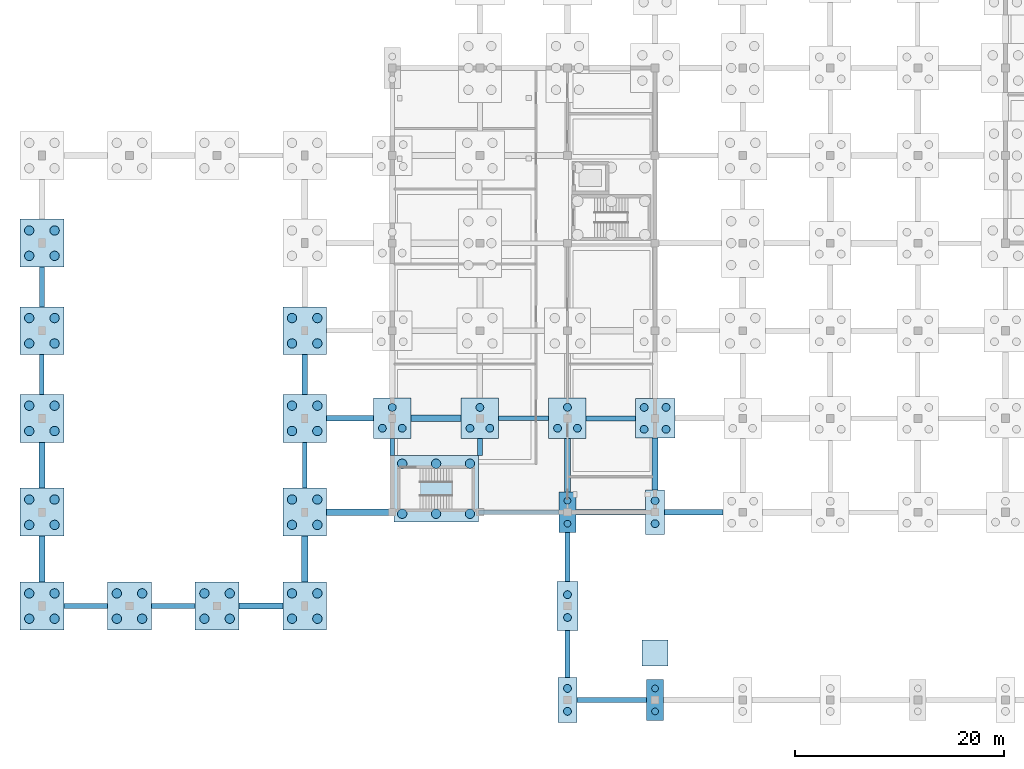
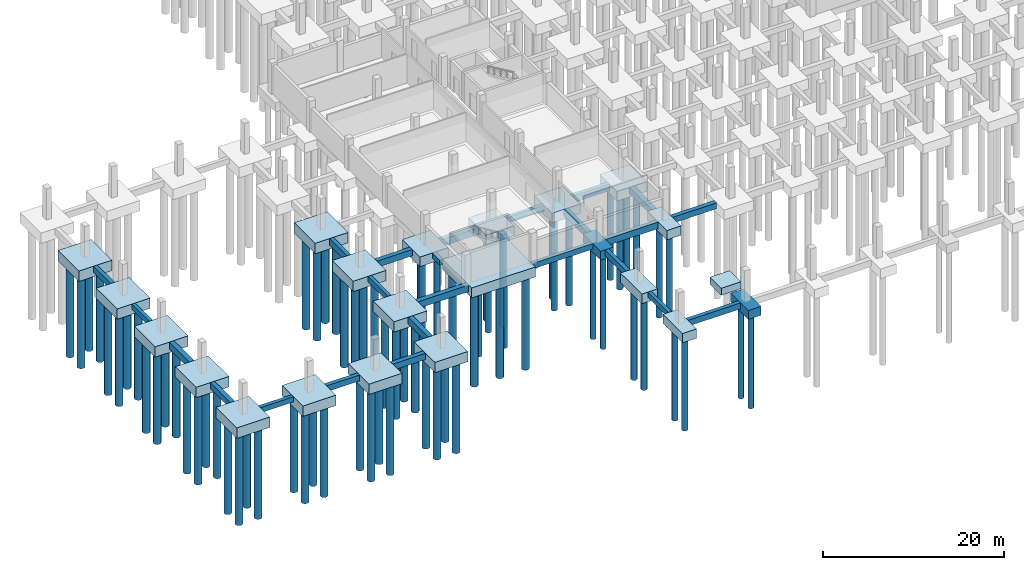
# One storey, part 1 of 20: 73 piles, 47 footings.
"""IFC4 building model written with IfcOpenShell, lengths in metres."""

from ifc_helpers import new_model, si_unit, direction, frame, origin, origin_2d, place, context, subcontext, project, spatial, rectangle, circle, extrude, material, material_profile, profile_set, type_object, element, save


model = new_model("IFC4")

# Units and contexts
model_context = context("Model", 3, precision=1e-05, world=origin(), true_north=direction((0.0, 1.0)))
body_context = subcontext(model_context, "Body", "Model", "MODEL_VIEW")
ifc_project = project(units=[si_unit("LENGTHUNIT", "METRE"), si_unit("AREAUNIT", "SQUARE_METRE"), si_unit("VOLUMEUNIT", "CUBIC_METRE"), si_unit("PLANEANGLEUNIT", "RADIAN"), si_unit("MASSUNIT", "GRAM", prefix="KILO")], contexts=[model_context])

# Site, building, storey
site_placement = place(None, origin())
site = spatial("IfcSite", under=ifc_project, at=site_placement, CompositionType="ELEMENT")
building_placement = place(site_placement, origin())
building = spatial("IfcBuilding", under=site, at=building_placement, Name="Vireocrest Preparatory School", CompositionType="ELEMENT")
storey_placement = place(building_placement, frame((0.0, 0.0, -4.199951171875)))
storey = spatial("IfcBuildingStorey", under=building, at=storey_placement, Name="B01", CompositionType="ELEMENT", Elevation=-4.199951171875)

# Piles
ifc_material = material(Name="Concrete 40 MPa", Category="concrete")
ifc_material_profile_1 = material_profile(ifc_material, circle(Radius=0.324951171875, at=origin_2d()), Name="BORED PILE 650")
ifc_profile_set_1 = profile_set([ifc_material_profile_1], Name="Concrete 40 MPa")
pile_type_1 = type_object("IfcPileType", Name="Bored Concrete Pile 650", PredefinedType="BORED", material=ifc_profile_set_1)
for number, where, z_axis, x_axis, name in (
    (1, (50.39990234375, 16.89990234375, -1.10009765625), (0.0, 0.0, -1.0), (1.0, 0.0, 0.0), "Bored Pile P01 036-1"),
    (2, (50.39990234375, 19.10009765625, -1.10009765625), (0.0, 0.0, -1.0), (1.0, 0.0, 0.0), "Bored Pile P01 036-2"),
    (3, (58.800048828125, -1.10009765625, -1.10009765625), (0.0, 0.0, -1.0), (1.0, 0.0, 0.0), "Bored Pile P01 048-1"),
    (4, (58.800048828125, 1.10009765625, -1.10009765625), (0.0, 0.0, -1.0), (1.0, 0.0, 0.0), "Bored Pile P01 048-2"),
):
    element("IfcPile", number, at=place(storey_placement, frame(where, z_axis=z_axis, x_axis=x_axis)), inside=storey, type_object=pile_type_1, Name=name, PredefinedType="BORED", context=body_context, shape_type="SweptSolid", body=[
        extrude(circle(Radius=0.324951171875, at=origin_2d()), origin(), (0.0, 0.0, 1.0), 12.699951171875),
    ])
ifc_material_profile_2 = material_profile(ifc_material, circle(Radius=0.375, at=origin_2d()), Name="BORED PILE 750")
ifc_profile_set_2 = profile_set([ifc_material_profile_2], Name="Concrete 40 MPa")
pile_type_2 = type_object("IfcPileType", Name="Bored Concrete Pile 750", PredefinedType="BORED", material=ifc_profile_set_2)
for number, where, z_axis, x_axis, name in (
    (5, (32.64990234375, 26.050048828125, -1.199951171875), (0.0, 0.0, -1.0), (1.0, 0.0, 0.0), "Bored Pile P02 017-1"),
    (6, (34.550048828125, 26.050048828125, -1.199951171875), (0.0, 0.0, -1.0), (1.0, 0.0, 0.0), "Bored Pile P02 017-2"),
    (7, (33.60009765625, 28.050048828125, -1.199951171875), (0.0, 0.0, -1.0), (1.0, 0.0, 0.0), "Bored Pile P02 017-3"),
    (8, (41.050048828125, 26.050048828125, -1.199951171875), (0.0, 0.0, -1.0), (1.0, 0.0, 0.0), "Bored Pile P02 023-1"),
    (9, (42.949951171875, 26.050048828125, -1.199951171875), (0.0, 0.0, -1.0), (1.0, 0.0, 0.0), "Bored Pile P02 023-2"),
    (10, (42.0, 28.050048828125, -1.199951171875), (0.0, 0.0, -1.0), (1.0, 0.0, 0.0), "Bored Pile P02 023-3"),
):
    element("IfcPile", number, at=place(storey_placement, frame(where, z_axis=z_axis, x_axis=x_axis)), inside=storey, type_object=pile_type_2, Name=name, PredefinedType="BORED", context=body_context, shape_type="SweptSolid", body=[
        extrude(circle(Radius=0.375, at=origin_2d()), origin(), (0.0, 0.0, 1.0), 12.60009765625),
    ])
for number, where, z_axis, x_axis, name in (
    (11, (50.39990234375, -1.10009765625, -1.150146484375), (0.0, 0.0, -1.0), (1.0, 0.0, 0.0), "Bored Pile P02 034-1"),
    (12, (50.39990234375, 1.10009765625, -1.150146484375), (0.0, 0.0, -1.0), (1.0, 0.0, 0.0), "Bored Pile P02 034-2"),
):
    element("IfcPile", number, at=place(storey_placement, frame(where, z_axis=z_axis, x_axis=x_axis)), inside=storey, type_object=pile_type_2, Name=name, PredefinedType="BORED", context=body_context, shape_type="SweptSolid", body=[
        extrude(circle(Radius=0.375, at=origin_2d()), origin(), (0.0, 0.0, 1.0), 12.64990234375),
    ])
for number, where, z_axis, x_axis, name in (
    (13, (50.39990234375, 7.89990234375, -1.199951171875), (0.0, 0.0, -1.0), (1.0, 0.0, 0.0), "Bored Pile P02 035-1"),
    (14, (50.39990234375, 10.10009765625, -1.199951171875), (0.0, 0.0, -1.0), (1.0, 0.0, 0.0), "Bored Pile P02 035-2"),
    (15, (49.449951171875, 26.050048828125, -1.199951171875), (0.0, 0.0, -1.0), (1.0, 0.0, 0.0), "Bored Pile P02 037-1"),
    (16, (51.35009765625, 26.050048828125, -1.199951171875), (0.0, 0.0, -1.0), (1.0, 0.0, 0.0), "Bored Pile P02 037-2"),
    (17, (50.39990234375, 28.050048828125, -1.199951171875), (0.0, 0.0, -1.0), (1.0, 0.0, 0.0), "Bored Pile P02 037-3"),
):
    element("IfcPile", number, at=place(storey_placement, frame(where, z_axis=z_axis, x_axis=x_axis)), inside=storey, type_object=pile_type_2, Name=name, PredefinedType="BORED", context=body_context, shape_type="SweptSolid", body=[
        extrude(circle(Radius=0.375, at=origin_2d()), origin(), (0.0, 0.0, 1.0), 12.60009765625),
    ])
for number, where, z_axis, x_axis, name in (
    (18, (58.800048828125, 16.89990234375, -1.150146484375), (0.0, 0.0, -1.0), (1.0, 0.0, 0.0), "Bored Pile P02 049-1"),
    (19, (58.800048828125, 19.10009765625, -1.150146484375), (0.0, 0.0, -1.0), (1.0, 0.0, 0.0), "Bored Pile P02 049-2"),
):
    element("IfcPile", number, at=place(storey_placement, frame(where, z_axis=z_axis, x_axis=x_axis)), inside=storey, type_object=pile_type_2, Name=name, PredefinedType="BORED", context=body_context, shape_type="SweptSolid", body=[
        extrude(circle(Radius=0.375, at=origin_2d()), origin(), (0.0, 0.0, 1.0), 12.64990234375),
    ])
for number, where, z_axis, x_axis, name in (
    (20, (57.75, 25.949951171875, -1.199951171875), (0.0, 0.0, -1.0), (1.0, 0.0, 0.0), "Bored Pile P02 050-1"),
    (21, (59.85009765625, 25.949951171875, -1.199951171875), (0.0, 0.0, -1.0), (1.0, 0.0, 0.0), "Bored Pile P02 050-2"),
    (22, (57.75, 28.050048828125, -1.199951171875), (0.0, 0.0, -1.0), (1.0, 0.0, 0.0), "Bored Pile P02 050-3"),
    (23, (59.85009765625, 28.050048828125, -1.199951171875), (0.0, 0.0, -1.0), (1.0, 0.0, 0.0), "Bored Pile P02 050-4"),
):
    element("IfcPile", number, at=place(storey_placement, frame(where, z_axis=z_axis, x_axis=x_axis)), inside=storey, type_object=pile_type_2, Name=name, PredefinedType="BORED", context=body_context, shape_type="SweptSolid", body=[
        extrude(circle(Radius=0.375, at=origin_2d()), origin(), (0.0, 0.0, 1.0), 12.60009765625),
    ])
ifc_material_profile_3 = material_profile(ifc_material, circle(Radius=0.449951171875, at=origin_2d()), Name="BORED PILE 900")
ifc_profile_set_3 = profile_set([ifc_material_profile_3], Name="Concrete 40 MPa")
pile_type_3 = type_object("IfcPileType", Name="Bored Concrete Pile 900", PredefinedType="BORED", material=ifc_profile_set_3)
for number, where, z_axis, x_axis, name in (
    (24, (34.550048828125, 17.85009765625, -1.25), (0.0, 0.0, -1.0), (1.0, 0.0, 0.0), "Bored Pile P03 Core K5-1"),
    (25, (34.550048828125, 22.64990234375, -1.25), (0.0, 0.0, -1.0), (1.0, 0.0, 0.0), "Bored Pile P03 Core K5-2"),
    (26, (37.800048828125, 17.85009765625, -1.25), (0.0, 0.0, -1.0), (1.0, 0.0, 0.0), "Bored Pile P03 Core K5-3"),
    (27, (37.800048828125, 22.64990234375, -1.25), (0.0, 0.0, -1.0), (1.0, 0.0, 0.0), "Bored Pile P03 Core K5-4"),
    (28, (41.050048828125, 17.85009765625, -1.25), (0.0, 0.0, -1.0), (1.0, 0.0, 0.0), "Bored Pile P03 Core K5-5"),
    (29, (41.050048828125, 22.64990234375, -1.25), (0.0, 0.0, -1.0), (1.0, 0.0, 0.0), "Bored Pile P03 Core K5-6"),
):
    element("IfcPile", number, at=place(storey_placement, frame(where, z_axis=z_axis, x_axis=x_axis)), inside=storey, type_object=pile_type_3, Name=name, PredefinedType="BORED", context=body_context, shape_type="SweptSolid", body=[
        extrude(circle(Radius=0.449951171875, at=origin_2d()), origin(), (0.0, 0.0, 1.0), 12.550048828125),
    ])
for number, where, z_axis, x_axis, name in (
    (30, (-1.215087890625, 7.784912109375, -1.300048828125), (0.0, 0.0, -1.0), (1.0, 0.0, 0.0), "Bored Pile P03 000-1"),
    (31, (1.215087890625, 7.784912109375, -1.300048828125), (0.0, 0.0, -1.0), (1.0, 0.0, 0.0), "Bored Pile P03 000-2"),
    (32, (-1.215087890625, 10.215087890625, -1.300048828125), (0.0, 0.0, -1.0), (1.0, 0.0, 0.0), "Bored Pile P03 000-3"),
    (33, (1.215087890625, 10.215087890625, -1.300048828125), (0.0, 0.0, -1.0), (1.0, 0.0, 0.0), "Bored Pile P03 000-4"),
    (34, (-1.215087890625, 16.784912109375, -1.300048828125), (0.0, 0.0, -1.0), (1.0, 0.0, 0.0), "Bored Pile P03 001-1"),
    (35, (1.215087890625, 16.784912109375, -1.300048828125), (0.0, 0.0, -1.0), (1.0, 0.0, 0.0), "Bored Pile P03 001-2"),
    (36, (-1.215087890625, 19.215087890625, -1.300048828125), (0.0, 0.0, -1.0), (1.0, 0.0, 0.0), "Bored Pile P03 001-3"),
    (37, (1.215087890625, 19.215087890625, -1.300048828125), (0.0, 0.0, -1.0), (1.0, 0.0, 0.0), "Bored Pile P03 001-4"),
    (38, (-1.215087890625, 25.784912109375, -1.300048828125), (0.0, 0.0, -1.0), (1.0, 0.0, 0.0), "Bored Pile P03 002-1"),
    (39, (1.215087890625, 25.784912109375, -1.300048828125), (0.0, 0.0, -1.0), (1.0, 0.0, 0.0), "Bored Pile P03 002-2"),
    (40, (-1.215087890625, 28.215087890625, -1.300048828125), (0.0, 0.0, -1.0), (1.0, 0.0, 0.0), "Bored Pile P03 002-3"),
    (41, (1.215087890625, 28.215087890625, -1.300048828125), (0.0, 0.0, -1.0), (1.0, 0.0, 0.0), "Bored Pile P03 002-4"),
    (42, (-1.215087890625, 34.18505859375, -1.300048828125), (0.0, 0.0, -1.0), (1.0, 0.0, 0.0), "Bored Pile P03 003-1"),
    (43, (1.215087890625, 34.18505859375, -1.300048828125), (0.0, 0.0, -1.0), (1.0, 0.0, 0.0), "Bored Pile P03 003-2"),
    (44, (-1.215087890625, 36.614990234375, -1.300048828125), (0.0, 0.0, -1.0), (1.0, 0.0, 0.0), "Bored Pile P03 003-3"),
    (45, (1.215087890625, 36.614990234375, -1.300048828125), (0.0, 0.0, -1.0), (1.0, 0.0, 0.0), "Bored Pile P03 003-4"),
    (46, (-1.215087890625, 42.5849609375, -1.300048828125), (0.0, 0.0, -1.0), (1.0, 0.0, 0.0), "Bored Pile P03 004-1"),
    (47, (1.215087890625, 42.5849609375, -1.300048828125), (0.0, 0.0, -1.0), (1.0, 0.0, 0.0), "Bored Pile P03 004-2"),
    (48, (-1.215087890625, 45.014892578125, -1.300048828125), (0.0, 0.0, -1.0), (1.0, 0.0, 0.0), "Bored Pile P03 004-3"),
    (49, (1.215087890625, 45.014892578125, -1.300048828125), (0.0, 0.0, -1.0), (1.0, 0.0, 0.0), "Bored Pile P03 004-4"),
    (50, (7.18505859375, 7.784912109375, -1.300048828125), (0.0, 0.0, -1.0), (1.0, 0.0, 0.0), "Bored Pile P03 006-1"),
    (51, (9.614990234375, 7.784912109375, -1.300048828125), (0.0, 0.0, -1.0), (1.0, 0.0, 0.0), "Bored Pile P03 006-2"),
    (52, (7.18505859375, 10.215087890625, -1.300048828125), (0.0, 0.0, -1.0), (1.0, 0.0, 0.0), "Bored Pile P03 006-3"),
    (53, (9.614990234375, 10.215087890625, -1.300048828125), (0.0, 0.0, -1.0), (1.0, 0.0, 0.0), "Bored Pile P03 006-4"),
    (54, (15.5849609375, 7.784912109375, -1.300048828125), (0.0, 0.0, -1.0), (1.0, 0.0, 0.0), "Bored Pile P03 008-1"),
    (55, (18.014892578125, 7.784912109375, -1.300048828125), (0.0, 0.0, -1.0), (1.0, 0.0, 0.0), "Bored Pile P03 008-2"),
    (56, (15.5849609375, 10.215087890625, -1.300048828125), (0.0, 0.0, -1.0), (1.0, 0.0, 0.0), "Bored Pile P03 008-3"),
    (57, (18.014892578125, 10.215087890625, -1.300048828125), (0.0, 0.0, -1.0), (1.0, 0.0, 0.0), "Bored Pile P03 008-4"),
    (58, (23.985107421875, 7.784912109375, -1.300048828125), (0.0, 0.0, -1.0), (1.0, 0.0, 0.0), "Bored Pile P03 010-1"),
    (59, (26.4150390625, 7.784912109375, -1.300048828125), (0.0, 0.0, -1.0), (1.0, 0.0, 0.0), "Bored Pile P03 010-2"),
    (60, (23.985107421875, 10.215087890625, -1.300048828125), (0.0, 0.0, -1.0), (1.0, 0.0, 0.0), "Bored Pile P03 010-3"),
    (61, (26.4150390625, 10.215087890625, -1.300048828125), (0.0, 0.0, -1.0), (1.0, 0.0, 0.0), "Bored Pile P03 010-4"),
    (62, (23.985107421875, 16.784912109375, -1.300048828125), (0.0, 0.0, -1.0), (1.0, 0.0, 0.0), "Bored Pile P03 011-1"),
    (63, (26.4150390625, 16.784912109375, -1.300048828125), (0.0, 0.0, -1.0), (1.0, 0.0, 0.0), "Bored Pile P03 011-2"),
    (64, (23.985107421875, 19.215087890625, -1.300048828125), (0.0, 0.0, -1.0), (1.0, 0.0, 0.0), "Bored Pile P03 011-3"),
    (65, (26.4150390625, 19.215087890625, -1.300048828125), (0.0, 0.0, -1.0), (1.0, 0.0, 0.0), "Bored Pile P03 011-4"),
    (66, (23.985107421875, 25.784912109375, -1.300048828125), (0.0, 0.0, -1.0), (1.0, 0.0, 0.0), "Bored Pile P03 012-1"),
    (67, (26.4150390625, 25.784912109375, -1.300048828125), (0.0, 0.0, -1.0), (1.0, 0.0, 0.0), "Bored Pile P03 012-2"),
    (68, (23.985107421875, 28.215087890625, -1.300048828125), (0.0, 0.0, -1.0), (1.0, 0.0, 0.0), "Bored Pile P03 012-3"),
    (69, (26.4150390625, 28.215087890625, -1.300048828125), (0.0, 0.0, -1.0), (1.0, 0.0, 0.0), "Bored Pile P03 012-4"),
    (70, (23.985107421875, 34.18505859375, -1.300048828125), (0.0, 0.0, -1.0), (1.0, 0.0, 0.0), "Bored Pile P03 013-1"),
    (71, (26.4150390625, 34.18505859375, -1.300048828125), (0.0, 0.0, -1.0), (1.0, 0.0, 0.0), "Bored Pile P03 013-2"),
    (72, (23.985107421875, 36.614990234375, -1.300048828125), (0.0, 0.0, -1.0), (1.0, 0.0, 0.0), "Bored Pile P03 013-3"),
    (73, (26.4150390625, 36.614990234375, -1.300048828125), (0.0, 0.0, -1.0), (1.0, 0.0, 0.0), "Bored Pile P03 013-4"),
):
    element("IfcPile", number, at=place(storey_placement, frame(where, z_axis=z_axis, x_axis=x_axis)), inside=storey, type_object=pile_type_3, Name=name, PredefinedType="BORED", context=body_context, shape_type="SweptSolid", body=[
        extrude(circle(Radius=0.449951171875, at=origin_2d()), origin(), (0.0, 0.0, 1.0), 12.5),
    ])

# Footings
footing_type_1 = type_object("IfcFootingType", Name="Combined Stair Cap 5600x6400x1350", PredefinedType="PILE_CAP", material=ifc_material)
footing_1_placement = place(storey_placement, frame((37.800048828125, 20.25, -1.35009765625), z_axis=(0.0, 0.0, 1.0), x_axis=(1.0, 0.0, 0.0)))
element("IfcFooting", 74, at=footing_1_placement, inside=storey, type_object=footing_type_1, Name="Combined Core Pile Cap K5", PredefinedType="PILE_CAP", context=body_context, shape_type="SweptSolid", body=[
    extrude(rectangle(XDim=8.10009765625, YDim=6.39990234375, at=origin_2d()), origin(), (0.0, 0.0, 1.0), 1.35009765625),
])
footing_type_2 = type_object("IfcFootingType", Name="Four-Pile Cap 3800x3800x1300", PredefinedType="PILE_CAP", material=ifc_material)
footing_2_placement = place(storey_placement, frame((58.800048828125, 27.0, -1.30029296875), z_axis=(0.0, 0.0, 1.0), x_axis=(1.0, 0.0, 0.0)))
element("IfcFooting", 75, at=footing_2_placement, inside=storey, type_object=footing_type_2, Name="Pile Cap PC05 at (58.8, 27.0)", PredefinedType="PILE_CAP", context=body_context, shape_type="SweptSolid", body=[
    extrude(rectangle(XDim=3.800048828125, YDim=3.800048828125, at=origin_2d()), origin(), (0.0, 0.0, 1.0), 1.300048828125),
])
footing_type_3 = type_object("IfcFootingType", Name="Four-Pile Vault Pier Cap 4200x4600x1400", PredefinedType="PILE_CAP", material=ifc_material)
for number, where, z_axis, x_axis, name in (
    (76, (0.0, 9.0, -1.39990234375), (0.0, 0.0, 1.0), (1.0, 0.0, 0.0), "Pile Cap PC10 at (0.0, 9.0)"),
    (77, (0.0, 18.0, -1.39990234375), (0.0, 0.0, 1.0), (1.0, 0.0, 0.0), "Pile Cap PC10 at (0.0, 18.0)"),
    (78, (0.0, 27.0, -1.39990234375), (0.0, 0.0, 1.0), (1.0, 0.0, 0.0), "Pile Cap PC10 at (0.0, 27.0)"),
    (79, (0.0, 35.39990234375, -1.39990234375), (0.0, 0.0, 1.0), (1.0, 0.0, 0.0), "Pile Cap PC10 at (0.0, 35.4)"),
    (80, (0.0, 43.800048828125, -1.39990234375), (0.0, 0.0, 1.0), (1.0, 0.0, 0.0), "Pile Cap PC10 at (0.0, 43.8)"),
    (81, (8.39990234375, 9.0, -1.39990234375), (0.0, 0.0, 1.0), (1.0, 0.0, 0.0), "Pile Cap PC10 at (8.4, 9.0)"),
    (82, (16.800048828125, 9.0, -1.39990234375), (0.0, 0.0, 1.0), (1.0, 0.0, 0.0), "Pile Cap PC10 at (16.8, 9.0)"),
    (83, (25.199951171875, 9.0, -1.39990234375), (0.0, 0.0, 1.0), (1.0, 0.0, 0.0), "Pile Cap PC10 at (25.2, 9.0)"),
    (84, (25.199951171875, 18.0, -1.39990234375), (0.0, 0.0, 1.0), (1.0, 0.0, 0.0), "Pile Cap PC10 at (25.2, 18.0)"),
    (85, (25.199951171875, 27.0, -1.39990234375), (0.0, 0.0, 1.0), (1.0, 0.0, 0.0), "Pile Cap PC10 at (25.2, 27.0)"),
    (86, (25.199951171875, 35.39990234375, -1.39990234375), (0.0, 0.0, 1.0), (1.0, 0.0, 0.0), "Pile Cap PC10 at (25.2, 35.4)"),
):
    element("IfcFooting", number, at=place(storey_placement, frame(where, z_axis=z_axis, x_axis=x_axis)), inside=storey, type_object=footing_type_3, Name=name, PredefinedType="PILE_CAP", context=body_context, shape_type="SweptSolid", body=[
        extrude(rectangle(XDim=4.199951171875, YDim=4.60009765625, at=origin_2d()), origin(), (0.0, 0.0, 1.0), 1.39990234375),
    ])
footing_type_4 = type_object("IfcFootingType", Name="Pavilion Plinth Pad Footing 2500x2500x950", PredefinedType="PAD_FOOTING", material=ifc_material)
footing_3_placement = place(storey_placement, frame((58.800048828125, 4.5, -0.9501953125), z_axis=(0.0, 0.0, 1.0), x_axis=(1.0, 0.0, 0.0)))
element("IfcFooting", 87, at=footing_3_placement, inside=storey, type_object=footing_type_4, Name="Pad Footing PF02-03", PredefinedType="PAD_FOOTING", context=body_context, shape_type="SweptSolid", body=[
    extrude(rectangle(XDim=2.5, YDim=2.5, at=origin_2d()), origin(), (0.0, 0.0, 1.0), 0.949951171875),
])
ifc_material_profile_4 = material_profile(ifc_material, rectangle(XDim=0.550048828125, YDim=0.800048828125, at=origin_2d()), Name="GB 550x800")
ifc_profile_set_4 = profile_set([ifc_material_profile_4], Name="Concrete 40 MPa")
footing_type_5 = type_object("IfcFootingType", Name="RC Court Tie Beam 550x800", PredefinedType="FOOTING_BEAM", material=ifc_profile_set_4)
footing_4_placement = place(storey_placement, frame((59.699951171875, 18.0, -0.400146484375), z_axis=(1.0, 0.0, 0.0), x_axis=(0.0, 1.0, 0.0)))
element("IfcFooting", 88, at=footing_4_placement, inside=storey, type_object=footing_type_5, Name="Foundation Grade Beam GB06-014", PredefinedType="FOOTING_BEAM", context=body_context, shape_type="SweptSolid", body=[
    extrude(rectangle(XDim=0.550048828125, YDim=0.800048828125, at=origin_2d()), origin(), (0.0, 0.0, 1.0), 5.60009765625),
])
footing_5_placement = place(storey_placement, frame((0.0, 11.300048828125, -0.400146484375), z_axis=(0.0, 1.0, 0.0), x_axis=(-1.0, 0.0, 0.0)))
element("IfcFooting", 89, at=footing_5_placement, inside=storey, type_object=footing_type_5, Name="Foundation Grade Beam GB06-142", PredefinedType="FOOTING_BEAM", context=body_context, shape_type="SweptSolid", body=[
    extrude(rectangle(XDim=0.550048828125, YDim=0.800048828125, at=origin_2d()), origin(), (0.0, 0.0, 1.0), 4.39990234375),
])
ifc_material_profile_5 = material_profile(ifc_material, rectangle(XDim=0.5, YDim=0.800048828125, at=origin_2d()), Name="GB 500x800")
ifc_profile_set_5 = profile_set([ifc_material_profile_5], Name="Concrete 40 MPa")
footing_type_6 = type_object("IfcFootingType", Name="RC Foundation Grade Beam 500x800", PredefinedType="FOOTING_BEAM", material=ifc_profile_set_5)
footing_6_placement = place(storey_placement, frame((51.300048828125, 0.0, -0.400146484375), z_axis=(1.0, 0.0, 0.0), x_axis=(0.0, 1.0, 0.0)))
element("IfcFooting", 90, at=footing_6_placement, inside=storey, type_object=footing_type_6, Name="Foundation Grade Beam GB01-001", PredefinedType="FOOTING_BEAM", context=body_context, shape_type="SweptSolid", body=[
    extrude(rectangle(XDim=0.5, YDim=0.800048828125, at=origin_2d()), origin(), (0.0, 0.0, 1.0), 6.699951171875),
])
footing_7_placement = place(storey_placement, frame((10.5, 9.0, -0.400146484375), z_axis=(1.0, 0.0, 0.0), x_axis=(0.0, 1.0, 0.0)))
element("IfcFooting", 91, at=footing_7_placement, inside=storey, type_object=footing_type_6, Name="Foundation Grade Beam GB01-009", PredefinedType="FOOTING_BEAM", context=body_context, shape_type="SweptSolid", body=[
    extrude(rectangle(XDim=0.5, YDim=0.800048828125, at=origin_2d()), origin(), (0.0, 0.0, 1.0), 4.199951171875),
])
footing_8_placement = place(storey_placement, frame((0.0, 37.699951171875, -0.400146484375), z_axis=(0.0, 1.0, 0.0), x_axis=(-1.0, 0.0, 0.0)))
element("IfcFooting", 92, at=footing_8_placement, inside=storey, type_object=footing_type_6, Name="Foundation Grade Beam GB01-145", PredefinedType="FOOTING_BEAM", context=body_context, shape_type="SweptSolid", body=[
    extrude(rectangle(XDim=0.5, YDim=0.800048828125, at=origin_2d()), origin(), (0.0, 0.0, 1.0), 3.800048828125),
])
footing_9_placement = place(storey_placement, frame((50.39990234375, 11.35009765625, -0.400146484375), z_axis=(0.0, 1.0, 0.0), x_axis=(-1.0, 0.0, 0.0)))
element("IfcFooting", 93, at=footing_9_placement, inside=storey, type_object=footing_type_6, Name="Foundation Grade Beam GB01-169", PredefinedType="FOOTING_BEAM", context=body_context, shape_type="SweptSolid", body=[
    extrude(rectangle(XDim=0.5, YDim=0.800048828125, at=origin_2d()), origin(), (0.0, 0.0, 1.0), 4.699951171875),
])
ifc_material_profile_6 = material_profile(ifc_material, rectangle(XDim=0.550048828125, YDim=0.85009765625, at=origin_2d()), Name="GB 550x850")
ifc_profile_set_6 = profile_set([ifc_material_profile_6], Name="Concrete 40 MPa")
footing_type_7 = type_object("IfcFootingType", Name="RC Foundation Grade Beam 550x850", PredefinedType="FOOTING_BEAM", material=ifc_profile_set_6)
footing_10_placement = place(storey_placement, frame((18.89990234375, 9.0, -0.425048828125), z_axis=(1.0, 0.0, 0.0), x_axis=(0.0, 1.0, 0.0)))
element("IfcFooting", 94, at=footing_10_placement, inside=storey, type_object=footing_type_7, Name="Foundation Grade Beam GB02-010", PredefinedType="FOOTING_BEAM", context=body_context, shape_type="SweptSolid", body=[
    extrude(rectangle(XDim=0.550048828125, YDim=0.85009765625, at=origin_2d()), origin(), (0.0, 0.0, 1.0), 4.2001953125),
])
footing_11_placement = place(storey_placement, frame((27.300048828125, 27.0, -0.425048828125), z_axis=(1.0, 0.0, 0.0), x_axis=(0.0, 1.0, 0.0)))
element("IfcFooting", 95, at=footing_11_placement, inside=storey, type_object=footing_type_7, Name="Foundation Grade Beam GB02-026", PredefinedType="FOOTING_BEAM", context=body_context, shape_type="SweptSolid", body=[
    extrude(rectangle(XDim=0.550048828125, YDim=0.85009765625, at=origin_2d()), origin(), (0.0, 0.0, 1.0), 4.5),
])
footing_12_placement = place(storey_placement, frame((50.39990234375, 19.949951171875, -0.425048828125), z_axis=(0.0, 1.0, 0.0), x_axis=(-1.0, 0.0, 0.0)))
element("IfcFooting", 96, at=footing_12_placement, inside=storey, type_object=footing_type_7, Name="Foundation Grade Beam GB02-170", PredefinedType="FOOTING_BEAM", context=body_context, shape_type="SweptSolid", body=[
    extrude(rectangle(XDim=0.550048828125, YDim=0.85009765625, at=origin_2d()), origin(), (0.0, 0.0, 1.0), 5.10009765625),
])
ifc_material_profile_7 = material_profile(ifc_material, rectangle(XDim=0.60009765625, YDim=0.89990234375, at=origin_2d()), Name="GB 600x900")
ifc_profile_set_7 = profile_set([ifc_material_profile_7], Name="Concrete 40 MPa")
footing_type_8 = type_object("IfcFootingType", Name="RC Foundation Grade Beam 600x900", PredefinedType="FOOTING_BEAM", material=ifc_profile_set_7)
footing_13_placement = place(storey_placement, frame((27.300048828125, 18.0, -0.449951171875), z_axis=(1.0, 0.0, 0.0), x_axis=(0.0, 1.0, 0.0)))
element("IfcFooting", 97, at=footing_13_placement, inside=storey, type_object=footing_type_8, Name="Foundation Grade Beam GB03-011", PredefinedType="FOOTING_BEAM", context=body_context, shape_type="SweptSolid", body=[
    extrude(rectangle(XDim=0.60009765625, YDim=0.89990234375, at=origin_2d()), origin(), (0.0, 0.0, 1.0), 6.449951171875),
])
footing_14_placement = place(storey_placement, frame((35.39990234375, 27.0, -0.449951171875), z_axis=(1.0, 0.0, 0.0), x_axis=(0.0, 1.0, 0.0)))
element("IfcFooting", 98, at=footing_14_placement, inside=storey, type_object=footing_type_8, Name="Foundation Grade Beam GB03-027", PredefinedType="FOOTING_BEAM", context=body_context, shape_type="SweptSolid", body=[
    extrude(rectangle(XDim=0.60009765625, YDim=0.89990234375, at=origin_2d()), origin(), (0.0, 0.0, 1.0), 4.800048828125),
])
footing_15_placement = place(storey_placement, frame((25.199951171875, 11.300048828125, -0.449951171875), z_axis=(0.0, 1.0, 0.0), x_axis=(-1.0, 0.0, 0.0)))
element("IfcFooting", 99, at=footing_15_placement, inside=storey, type_object=footing_type_8, Name="Foundation Grade Beam GB03-147", PredefinedType="FOOTING_BEAM", context=body_context, shape_type="SweptSolid", body=[
    extrude(rectangle(XDim=0.60009765625, YDim=0.89990234375, at=origin_2d()), origin(), (0.0, 0.0, 1.0), 4.39990234375),
])
footing_16_placement = place(storey_placement, frame((58.800048828125, 20.14990234375, -0.449951171875), z_axis=(0.0, 1.0, 0.0), x_axis=(-1.0, 0.0, 0.0)))
element("IfcFooting", 100, at=footing_16_placement, inside=storey, type_object=footing_type_8, Name="Foundation Grade Beam GB03-179", PredefinedType="FOOTING_BEAM", context=body_context, shape_type="SweptSolid", body=[
    extrude(rectangle(XDim=0.60009765625, YDim=0.89990234375, at=origin_2d()), origin(), (0.0, 0.0, 1.0), 4.9501953125),
])
ifc_material_profile_8 = material_profile(ifc_material, rectangle(XDim=0.449951171875, YDim=0.75, at=origin_2d()), Name="GB 450x750")
ifc_profile_set_8 = profile_set([ifc_material_profile_8], Name="Concrete 40 MPa")
footing_type_9 = type_object("IfcFootingType", Name="RC Foundation Tie Beam 450x750", PredefinedType="FOOTING_BEAM", material=ifc_profile_set_8)
footing_17_placement = place(storey_placement, frame((41.85009765625, 18.0, -0.375), z_axis=(1.0, 0.0, 0.0), x_axis=(0.0, 1.0, 0.0)))
element("IfcFooting", 101, at=footing_17_placement, inside=storey, type_object=footing_type_9, Name="Foundation Grade Beam GB04-012", PredefinedType="FOOTING_BEAM", context=body_context, shape_type="SweptSolid", body=[
    extrude(rectangle(XDim=0.449951171875, YDim=0.75, at=origin_2d()), origin(), (0.0, 0.0, 1.0), 7.75),
])
footing_18_placement = place(storey_placement, frame((43.800048828125, 27.0, -0.375), z_axis=(1.0, 0.0, 0.0), x_axis=(0.0, 1.0, 0.0)))
element("IfcFooting", 102, at=footing_18_placement, inside=storey, type_object=footing_type_9, Name="Foundation Grade Beam GB04-028", PredefinedType="FOOTING_BEAM", context=body_context, shape_type="SweptSolid", body=[
    extrude(rectangle(XDim=0.449951171875, YDim=0.75, at=origin_2d()), origin(), (0.0, 0.0, 1.0), 4.800048828125),
])
footing_19_placement = place(storey_placement, frame((25.199951171875, 20.300048828125, -0.375), z_axis=(0.0, 1.0, 0.0), x_axis=(-1.0, 0.0, 0.0)))
element("IfcFooting", 103, at=footing_19_placement, inside=storey, type_object=footing_type_9, Name="Foundation Grade Beam GB04-148", PredefinedType="FOOTING_BEAM", context=body_context, shape_type="SweptSolid", body=[
    extrude(rectangle(XDim=0.449951171875, YDim=0.75, at=origin_2d()), origin(), (0.0, 0.0, 1.0), 4.39990234375),
])
ifc_material_profile_9 = material_profile(ifc_material, rectangle(XDim=0.449951171875, YDim=0.699951171875, at=origin_2d()), Name="GB 450x700")
ifc_profile_set_9 = profile_set([ifc_material_profile_9], Name="Concrete 40 MPa")
footing_type_10 = type_object("IfcFootingType", Name="RC Pavilion Tie Beam 450x700", PredefinedType="FOOTING_BEAM", material=ifc_profile_set_9)
footing_20_placement = place(storey_placement, frame((2.10009765625, 9.0, -0.35009765625), z_axis=(1.0, 0.0, 0.0), x_axis=(0.0, 1.0, 0.0)))
element("IfcFooting", 104, at=footing_20_placement, inside=storey, type_object=footing_type_10, Name="Foundation Grade Beam GB08-008", PredefinedType="FOOTING_BEAM", context=body_context, shape_type="SweptSolid", body=[
    extrude(rectangle(XDim=0.449951171875, YDim=0.699951171875, at=origin_2d()), origin(), (0.0, 0.0, 1.0), 4.199951171875),
])
footing_21_placement = place(storey_placement, frame((0.0, 29.300048828125, -0.35009765625), z_axis=(0.0, 1.0, 0.0), x_axis=(-1.0, 0.0, 0.0)))
element("IfcFooting", 105, at=footing_21_placement, inside=storey, type_object=footing_type_10, Name="Foundation Grade Beam GB08-144", PredefinedType="FOOTING_BEAM", context=body_context, shape_type="SweptSolid", body=[
    extrude(rectangle(XDim=0.449951171875, YDim=0.699951171875, at=origin_2d()), origin(), (0.0, 0.0, 1.0), 3.800048828125),
])
footing_22_placement = place(storey_placement, frame((33.60009765625, 23.449951171875, -0.35009765625), z_axis=(0.0, 1.0, 0.0), x_axis=(-1.0, 0.0, 0.0)))
element("IfcFooting", 106, at=footing_22_placement, inside=storey, type_object=footing_type_10, Name="Foundation Grade Beam GB08-152", PredefinedType="FOOTING_BEAM", context=body_context, shape_type="SweptSolid", body=[
    extrude(rectangle(XDim=0.449951171875, YDim=0.699951171875, at=origin_2d()), origin(), (0.0, 0.0, 1.0), 1.60009765625),
])
footing_23_placement = place(storey_placement, frame((50.39990234375, 2.14990234375, -0.35009765625), z_axis=(0.0, 1.0, 0.0), x_axis=(-1.0, 0.0, 0.0)))
element("IfcFooting", 107, at=footing_23_placement, inside=storey, type_object=footing_type_10, Name="Foundation Grade Beam GB08-168", PredefinedType="FOOTING_BEAM", context=body_context, shape_type="SweptSolid", body=[
    extrude(rectangle(XDim=0.449951171875, YDim=0.699951171875, at=origin_2d()), origin(), (0.0, 0.0, 1.0), 4.5),
])
ifc_material_profile_10 = material_profile(ifc_material, rectangle(XDim=0.5, YDim=0.89990234375, at=origin_2d()), Name="GB 500x900")
ifc_profile_set_10 = profile_set([ifc_material_profile_10], Name="Concrete 40 MPa")
footing_type_11 = type_object("IfcFootingType", Name="RC Perimeter Grade Beam 500x900", PredefinedType="FOOTING_BEAM", material=ifc_profile_set_10)
footing_24_placement = place(storey_placement, frame((51.199951171875, 18.0, -0.449951171875), z_axis=(1.0, 0.0, 0.0), x_axis=(0.0, 1.0, 0.0)))
element("IfcFooting", 108, at=footing_24_placement, inside=storey, type_object=footing_type_11, Name="Foundation Grade Beam GB05-013", PredefinedType="FOOTING_BEAM", context=body_context, shape_type="SweptSolid", body=[
    extrude(rectangle(XDim=0.5, YDim=0.89990234375, at=origin_2d()), origin(), (0.0, 0.0, 1.0), 6.699951171875),
])
footing_25_placement = place(storey_placement, frame((52.199951171875, 27.0, -0.449951171875), z_axis=(1.0, 0.0, 0.0), x_axis=(0.0, 1.0, 0.0)))
element("IfcFooting", 109, at=footing_25_placement, inside=storey, type_object=footing_type_11, Name="Foundation Grade Beam GB05-029", PredefinedType="FOOTING_BEAM", context=body_context, shape_type="SweptSolid", body=[
    extrude(rectangle(XDim=0.5, YDim=0.89990234375, at=origin_2d()), origin(), (0.0, 0.0, 1.0), 4.699951171875),
])
footing_26_placement = place(storey_placement, frame((25.199951171875, 29.300048828125, -0.449951171875), z_axis=(0.0, 1.0, 0.0), x_axis=(-1.0, 0.0, 0.0)))
element("IfcFooting", 110, at=footing_26_placement, inside=storey, type_object=footing_type_11, Name="Foundation Grade Beam GB05-149", PredefinedType="FOOTING_BEAM", context=body_context, shape_type="SweptSolid", body=[
    extrude(rectangle(XDim=0.5, YDim=0.89990234375, at=origin_2d()), origin(), (0.0, 0.0, 1.0), 3.800048828125),
])
footing_27_placement = place(storey_placement, frame((42.0, 23.449951171875, -0.449951171875), z_axis=(0.0, 1.0, 0.0), x_axis=(-1.0, 0.0, 0.0)))
element("IfcFooting", 111, at=footing_27_placement, inside=storey, type_object=footing_type_11, Name="Foundation Grade Beam GB05-157", PredefinedType="FOOTING_BEAM", context=body_context, shape_type="SweptSolid", body=[
    extrude(rectangle(XDim=0.5, YDim=0.89990234375, at=origin_2d()), origin(), (0.0, 0.0, 1.0), 1.60009765625),
])
ifc_material_profile_11 = material_profile(ifc_material, rectangle(XDim=0.60009765625, YDim=0.949951171875, at=origin_2d()), Name="GB 600x950")
ifc_profile_set_11 = profile_set([ifc_material_profile_11], Name="Concrete 40 MPa")
footing_type_12 = type_object("IfcFootingType", Name="RC Vault Tie Grade Beam 600x950", PredefinedType="FOOTING_BEAM", material=ifc_profile_set_11)
footing_28_placement = place(storey_placement, frame((0.0, 20.300048828125, -0.47509765625), z_axis=(0.0, 1.0, 0.0), x_axis=(-1.0, 0.0, 0.0)))
element("IfcFooting", 112, at=footing_28_placement, inside=storey, type_object=footing_type_12, Name="Foundation Grade Beam GB07-143", PredefinedType="FOOTING_BEAM", context=body_context, shape_type="SweptSolid", body=[
    extrude(rectangle(XDim=0.60009765625, YDim=0.949951171875, at=origin_2d()), origin(), (0.0, 0.0, 1.0), 4.39990234375),
])
footing_type_13 = type_object("IfcFootingType", Name="Three-Pile Cap 3600x3900x1300", PredefinedType="PILE_CAP", material=ifc_material)
for number, where, z_axis, x_axis, name in (
    (113, (33.60009765625, 27.0, -1.30029296875), (0.0, 0.0, 1.0), (1.0, 0.0, 0.0), "Pile Cap PC04 at (33.6, 27.0)"),
    (114, (42.0, 27.0, -1.30029296875), (0.0, 0.0, 1.0), (1.0, 0.0, 0.0), "Pile Cap PC04 at (42.0, 27.0)"),
    (115, (50.39990234375, 27.0, -1.30029296875), (0.0, 0.0, 1.0), (1.0, 0.0, 0.0), "Pile Cap PC04 at (50.4, 27.0)"),
):
    element("IfcFooting", number, at=place(storey_placement, frame(where, z_axis=z_axis, x_axis=x_axis)), inside=storey, type_object=footing_type_13, Name=name, PredefinedType="PILE_CAP", context=body_context, shape_type="SweptSolid", body=[
        extrude(rectangle(XDim=3.60009765625, YDim=3.89990234375, at=origin_2d()), origin(), (0.0, 0.0, 1.0), 1.300048828125),
    ])
footing_type_14 = type_object("IfcFootingType", Name="Two-Pile Cap 1600x3900x1200", PredefinedType="PILE_CAP", material=ifc_material)
for number, where, z_axis, x_axis, name in (
    (116, (50.39990234375, 18.0, -1.2001953125), (0.0, 0.0, 1.0), (1.0, 0.0, 0.0), "Pile Cap PC01 at (50.4, 18.0)"),
    (117, (58.800048828125, 0.0, -1.2001953125), (0.0, 0.0, 1.0), (1.0, 0.0, 0.0), "Pile Cap PC01 at (58.8, 0.0)"),
):
    element("IfcFooting", number, at=place(storey_placement, frame(where, z_axis=z_axis, x_axis=x_axis)), inside=storey, type_object=footing_type_14, Name=name, PredefinedType="PILE_CAP", context=body_context, shape_type="SweptSolid", body=[
        extrude(rectangle(XDim=1.60009765625, YDim=3.89990234375, at=origin_2d()), origin(), (0.0, 0.0, 1.0), 1.199951171875),
    ])
footing_type_15 = type_object("IfcFootingType", Name="Two-Pile Cap 1800x4300x1250", PredefinedType="PILE_CAP", material=ifc_material)
for number, where, z_axis, x_axis, name in (
    (118, (50.39990234375, 0.0, -1.25), (0.0, 0.0, 1.0), (1.0, 0.0, 0.0), "Pile Cap PC02 at (50.4, 0.0)"),
    (119, (58.800048828125, 18.0, -1.25), (0.0, 0.0, 1.0), (1.0, 0.0, 0.0), "Pile Cap PC02 at (58.8, 18.0)"),
):
    element("IfcFooting", number, at=place(storey_placement, frame(where, z_axis=z_axis, x_axis=x_axis)), inside=storey, type_object=footing_type_15, Name=name, PredefinedType="PILE_CAP", context=body_context, shape_type="SweptSolid", body=[
        extrude(rectangle(XDim=1.800048828125, YDim=4.300048828125, at=origin_2d()), origin(), (0.0, 0.0, 1.0), 1.25),
    ])
footing_type_16 = type_object("IfcFootingType", Name="Two-Pile Cap 2000x4700x1300", PredefinedType="PILE_CAP", material=ifc_material)
footing_29_placement = place(storey_placement, frame((50.39990234375, 9.0, -1.30029296875), z_axis=(0.0, 0.0, 1.0), x_axis=(1.0, 0.0, 0.0)))
element("IfcFooting", 120, at=footing_29_placement, inside=storey, type_object=footing_type_16, Name="Pile Cap PC03 at (50.4, 9.0)", PredefinedType="PILE_CAP", context=body_context, shape_type="SweptSolid", body=[
    extrude(rectangle(XDim=2.0, YDim=4.699951171875, at=origin_2d()), origin(), (0.0, 0.0, 1.0), 1.300048828125),
])

save(model, "model.ifc")
